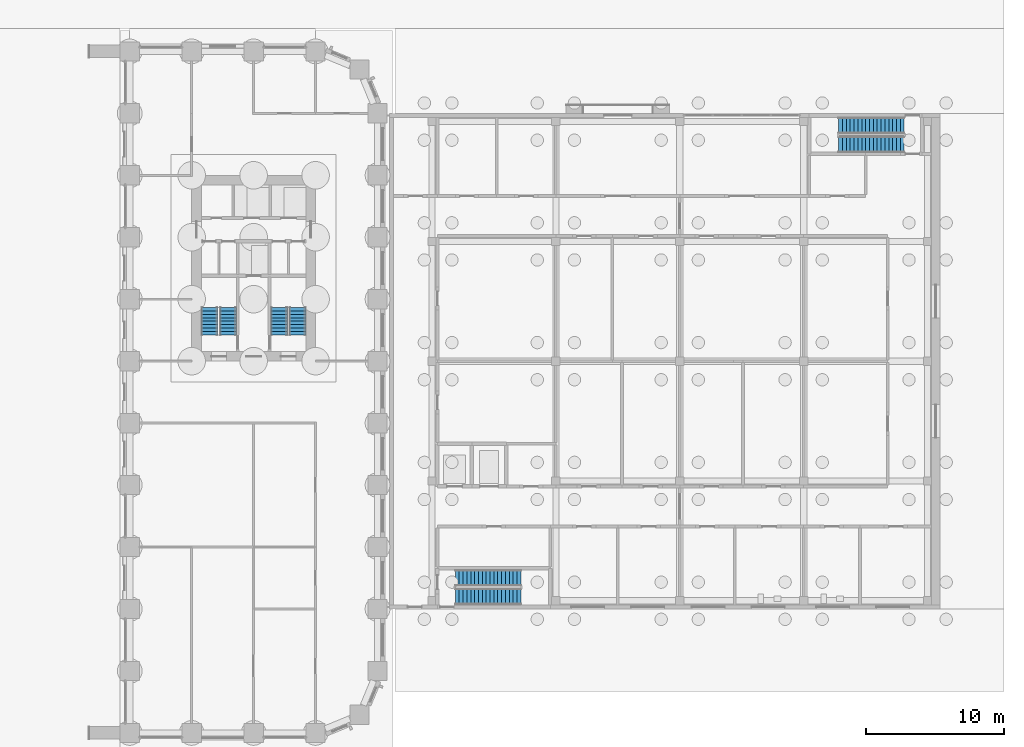
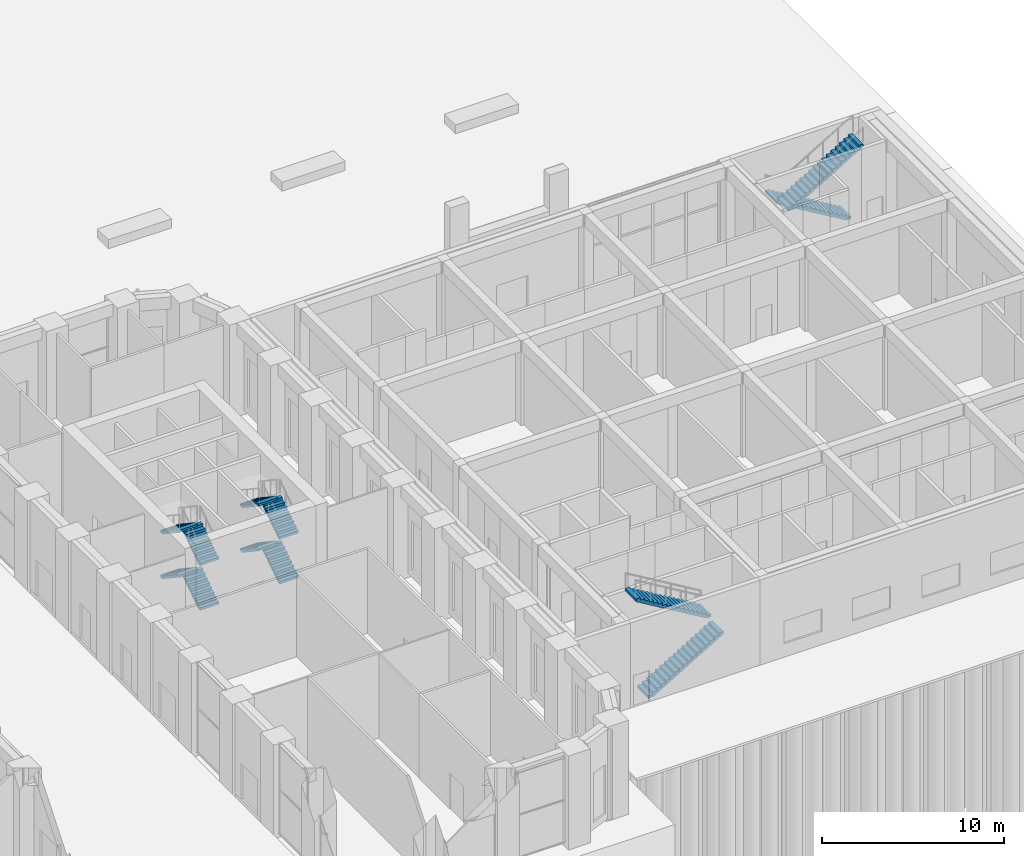
# One storey, part 23 of 31: 12 stair flights, 4 elements without a shape of their own.
"""IFC4 building model written with IfcOpenShell, lengths in metres."""

from ifc_helpers import new_model, si_unit, direction, frame, origin, place, context, subcontext, project, spatial, polyline, outline, extrude, material, type_object, element, aggregate, save


model = new_model("IFC4")

# Units and contexts
model_context = context("Model", 3, precision=1e-05, world=origin(), true_north=direction((0.0, 1.0)))
body_context = subcontext(model_context, "Body", "Model", "MODEL_VIEW")
ifc_project = project(units=[si_unit("LENGTHUNIT", "METRE"), si_unit("AREAUNIT", "SQUARE_METRE"), si_unit("VOLUMEUNIT", "CUBIC_METRE"), si_unit("PLANEANGLEUNIT", "RADIAN"), si_unit("MASSUNIT", "GRAM", prefix="KILO")], contexts=[model_context])

# Site, building, storey
site_placement = place(None, origin())
site = spatial("IfcSite", under=ifc_project, at=site_placement, CompositionType="ELEMENT")
building_placement = place(site_placement, origin())
building = spatial("IfcBuilding", under=site, at=building_placement, Name="Girih Gate Residences", CompositionType="ELEMENT")
storey_placement = place(building_placement, origin())
storey = spatial("IfcBuildingStorey", under=building, at=storey_placement, Name="L00", CompositionType="ELEMENT", Elevation=0.0)

# Stair, stair flights
ifc_material = material(Name="Concrete C40/50", Category="concrete")
stair_type_1 = type_object("IfcStairType", Name="HC Stair", PredefinedType="HALF_TURN_STAIR", material=ifc_material)
stair_1_placement = place(storey_placement, origin())
stair_1 = element("IfcStair", 1, at=stair_1_placement, inside=storey, type_object=stair_type_1, Name="L00 stair A", PredefinedType="HALF_TURN_STAIR")
stair_flight_type_1 = type_object("IfcStairFlightType", Name="HC Stair flight", PredefinedType="STRAIGHT", material=ifc_material)
stair_flight_1_placement = place(storey_placement, frame((55.14990234375, 9.89990234375, 0.0), z_axis=(0.0, 0.0, 1.0), x_axis=(1.0, 0.0, 0.0)))
stair_flight_1 = element("IfcStairFlight", 2, at=stair_flight_1_placement, type_object=stair_flight_type_1, Name="HC-STA flight 1", NumberOfRisers=18, NumberOfTreads=17, PredefinedType="STRAIGHT", RiserHeight=0.166666667, TreadLength=0.28, context=body_context, shape_type="SweptSolid", body=[
    extrude(outline(polyline([(0.0, 0.0), (0.0, 0.166748046875), (0.280029296875, 0.166748046875), (0.280029296875, 0.333251953125), (0.56005859375, 0.333251953125), (0.56005859375, 0.5), (0.840087890625, 0.5), (0.840087890625, 0.666748046875), (1.1201171875, 0.666748046875), (1.1201171875, 0.833251953125), (1.39990234375, 0.833251953125), (1.39990234375, 1.0), (1.679931640625, 1.0), (1.679931640625, 1.166748046875), (1.9599609375, 1.166748046875), (1.9599609375, 1.333251953125), (2.239990234375, 1.333251953125), (2.239990234375, 1.5), (2.52001953125, 1.5), (2.52001953125, 1.666748046875), (2.800048828125, 1.666748046875), (2.800048828125, 1.833251953125), (3.080078125, 1.833251953125), (3.080078125, 2.0), (3.360107421875, 2.0), (3.360107421875, 2.166748046875), (3.639892578125, 2.166748046875), (3.639892578125, 2.333251953125), (3.919921875, 2.333251953125), (3.919921875, 2.5), (4.199951171875, 2.5), (4.199951171875, 2.666748046875), (4.47998046875, 2.666748046875), (4.47998046875, 2.833251953125), (4.760009765625, 2.833251953125), (4.760009765625, 3.0), (4.760009765625, 2.658935546875), (0.29296875, 0.0), (0.0, 0.0)])), frame((0.0, 0.60009765625, 0.0), z_axis=(0.0, -1.0, 0.0), x_axis=(1.0, 0.0, 0.0)), (0.0, 0.0, 1.0), 1.199951171875),
])
stair_flight_2_placement = place(storey_placement, frame((59.909912109375, 11.25, 3.0), z_axis=(0.0, 0.0, 1.0), x_axis=(-1.0, 0.0, 0.0)))
stair_flight_2 = element("IfcStairFlight", 3, at=stair_flight_2_placement, type_object=stair_flight_type_1, Name="HC-STA flight 2", NumberOfRisers=18, NumberOfTreads=17, PredefinedType="STRAIGHT", RiserHeight=0.166666667, TreadLength=0.28, context=body_context, shape_type="SweptSolid", body=[
    extrude(outline(polyline([(0.0, 0.0), (0.0, 0.166748046875), (0.280029296875, 0.166748046875), (0.280029296875, 0.333251953125), (0.56005859375, 0.333251953125), (0.56005859375, 0.5), (0.840087890625, 0.5), (0.840087890625, 0.666748046875), (1.1201171875, 0.666748046875), (1.1201171875, 0.833251953125), (1.39990234375, 0.833251953125), (1.39990234375, 1.0), (1.679931640625, 1.0), (1.679931640625, 1.166748046875), (1.9599609375, 1.166748046875), (1.9599609375, 1.333251953125), (2.239990234375, 1.333251953125), (2.239990234375, 1.5), (2.52001953125, 1.5), (2.52001953125, 1.666748046875), (2.800048828125, 1.666748046875), (2.800048828125, 1.833251953125), (3.080078125, 1.833251953125), (3.080078125, 2.0), (3.360107421875, 2.0), (3.360107421875, 2.166748046875), (3.639892578125, 2.166748046875), (3.639892578125, 2.333251953125), (3.919921875, 2.333251953125), (3.919921875, 2.5), (4.199951171875, 2.5), (4.199951171875, 2.666748046875), (4.47998046875, 2.666748046875), (4.47998046875, 2.833251953125), (4.760009765625, 2.833251953125), (4.760009765625, 3.0), (4.760009765625, 2.658935546875), (0.29296875, 0.0), (0.0, 0.0)])), frame((0.0, 0.60009765625, 0.0), z_axis=(0.0, -1.0, 0.0), x_axis=(1.0, 0.0, 0.0)), (0.0, 0.0, 1.0), 1.199951171875),
])
aggregate(stair_1, [stair_flight_1, stair_flight_2])

stair_2_placement = place(storey_placement, origin())
stair_2 = element("IfcStair", 4, at=stair_2_placement, inside=storey, type_object=stair_type_1, Name="L00 stair B", PredefinedType="HALF_TURN_STAIR")
stair_flight_3_placement = place(storey_placement, frame((87.75, 44.10009765625, 0.0), z_axis=(0.0, 0.0, 1.0), x_axis=(-1.0, 0.0, 0.0)))
stair_flight_3 = element("IfcStairFlight", 5, at=stair_flight_3_placement, type_object=stair_flight_type_1, Name="HC-STB flight 1", NumberOfRisers=18, NumberOfTreads=17, PredefinedType="STRAIGHT", RiserHeight=0.166666667, TreadLength=0.28, context=body_context, shape_type="SweptSolid", body=[
    extrude(outline(polyline([(0.0, 0.0), (0.0, 0.166748046875), (0.280029296875, 0.166748046875), (0.280029296875, 0.333251953125), (0.56005859375, 0.333251953125), (0.56005859375, 0.5), (0.840087890625, 0.5), (0.840087890625, 0.666748046875), (1.1201171875, 0.666748046875), (1.1201171875, 0.833251953125), (1.39990234375, 0.833251953125), (1.39990234375, 1.0), (1.679931640625, 1.0), (1.679931640625, 1.166748046875), (1.9599609375, 1.166748046875), (1.9599609375, 1.333251953125), (2.239990234375, 1.333251953125), (2.239990234375, 1.5), (2.52001953125, 1.5), (2.52001953125, 1.666748046875), (2.800048828125, 1.666748046875), (2.800048828125, 1.833251953125), (3.080078125, 1.833251953125), (3.080078125, 2.0), (3.360107421875, 2.0), (3.360107421875, 2.166748046875), (3.639892578125, 2.166748046875), (3.639892578125, 2.333251953125), (3.919921875, 2.333251953125), (3.919921875, 2.5), (4.199951171875, 2.5), (4.199951171875, 2.666748046875), (4.47998046875, 2.666748046875), (4.47998046875, 2.833251953125), (4.760009765625, 2.833251953125), (4.760009765625, 3.0), (4.760009765625, 2.658935546875), (0.29296875, 0.0), (0.0, 0.0)])), frame((0.0, 0.60009765625, 0.0), z_axis=(0.0, -1.0, 0.0), x_axis=(1.0, 0.0, 0.0)), (0.0, 0.0, 1.0), 1.199951171875),
])
stair_flight_4_placement = place(storey_placement, frame((82.989990234375, 42.75, 3.0), z_axis=(0.0, 0.0, 1.0), x_axis=(1.0, 0.0, 0.0)))
stair_flight_4 = element("IfcStairFlight", 6, at=stair_flight_4_placement, type_object=stair_flight_type_1, Name="HC-STB flight 2", NumberOfRisers=18, NumberOfTreads=17, PredefinedType="STRAIGHT", RiserHeight=0.166666667, TreadLength=0.28, context=body_context, shape_type="SweptSolid", body=[
    extrude(outline(polyline([(0.0, 0.0), (0.0, 0.166748046875), (0.280029296875, 0.166748046875), (0.280029296875, 0.333251953125), (0.56005859375, 0.333251953125), (0.56005859375, 0.5), (0.840087890625, 0.5), (0.840087890625, 0.666748046875), (1.1201171875, 0.666748046875), (1.1201171875, 0.833251953125), (1.39990234375, 0.833251953125), (1.39990234375, 1.0), (1.679931640625, 1.0), (1.679931640625, 1.166748046875), (1.9599609375, 1.166748046875), (1.9599609375, 1.333251953125), (2.239990234375, 1.333251953125), (2.239990234375, 1.5), (2.52001953125, 1.5), (2.52001953125, 1.666748046875), (2.800048828125, 1.666748046875), (2.800048828125, 1.833251953125), (3.080078125, 1.833251953125), (3.080078125, 2.0), (3.360107421875, 2.0), (3.360107421875, 2.166748046875), (3.639892578125, 2.166748046875), (3.639892578125, 2.333251953125), (3.919921875, 2.333251953125), (3.919921875, 2.5), (4.199951171875, 2.5), (4.199951171875, 2.666748046875), (4.47998046875, 2.666748046875), (4.47998046875, 2.833251953125), (4.760009765625, 2.833251953125), (4.760009765625, 3.0), (4.760009765625, 2.658935546875), (0.29296875, 0.0), (0.0, 0.0)])), frame((0.0, 0.60009765625, 0.0), z_axis=(0.0, -1.0, 0.0), x_axis=(1.0, 0.0, 0.0)), (0.0, 0.0, 1.0), 1.199951171875),
])
aggregate(stair_2, [stair_flight_3, stair_flight_4])

stair_type_2 = type_object("IfcStairType", Name="Exit stair", PredefinedType="HALF_TURN_STAIR", material=ifc_material)
stair_3_placement = place(storey_placement, origin())
stair_3 = element("IfcStair", 7, at=stair_3_placement, inside=storey, type_object=stair_type_2, Name="L00 Exit Stair ST-E1", PredefinedType="HALF_TURN_STAIR")
stair_flight_type_2 = type_object("IfcStairFlightType", Name="Stair flight 1200", PredefinedType="STRAIGHT", material=ifc_material)
stair_flight_5_placement = place(storey_placement, frame((43.699951171875, 28.89990234375, 0.0), z_axis=(0.0, 0.0, 1.0), x_axis=(0.0, 1.0, 0.0)))
stair_flight_5 = element("IfcStairFlight", 8, at=stair_flight_5_placement, type_object=stair_flight_type_2, Name="ST-E1 flight 1", NumberOfRisers=9, NumberOfTreads=8, PredefinedType="STRAIGHT", RiserHeight=0.166666667, TreadLength=0.25, context=body_context, shape_type="SweptSolid", body=[
    extrude(outline(polyline([(0.0, 0.0), (0.0, 0.166748046875), (0.25, 0.166748046875), (0.25, 0.333251953125), (0.5, 0.333251953125), (0.5, 0.5), (0.75, 0.5), (0.75, 0.666748046875), (1.0, 0.666748046875), (1.0, 0.833251953125), (1.25, 0.833251953125), (1.25, 1.0), (1.5, 1.0), (1.5, 1.166748046875), (1.75, 1.166748046875), (1.75, 1.333251953125), (2.0, 1.333251953125), (2.0, 1.5), (2.0, 1.18896484375), (0.216552734375, 0.0), (0.0, 0.0)])), frame((0.0, 0.60009765625, 0.0), z_axis=(0.0, -1.0, 0.0), x_axis=(1.0, 0.0, 0.0)), (0.0, 0.0, 1.0), 1.199951171875),
])
stair_flight_6_placement = place(storey_placement, frame((42.35009765625, 30.89990234375, 1.5), z_axis=(0.0, 0.0, 1.0), x_axis=(0.0, -1.0, 0.0)))
stair_flight_6 = element("IfcStairFlight", 9, at=stair_flight_6_placement, type_object=stair_flight_type_2, Name="ST-E1 flight 2", NumberOfRisers=9, NumberOfTreads=8, PredefinedType="STRAIGHT", RiserHeight=0.166666667, TreadLength=0.25, context=body_context, shape_type="SweptSolid", body=[
    extrude(outline(polyline([(0.0, 0.0), (0.0, 0.166748046875), (0.25, 0.166748046875), (0.25, 0.333251953125), (0.5, 0.333251953125), (0.5, 0.5), (0.75, 0.5), (0.75, 0.666748046875), (1.0, 0.666748046875), (1.0, 0.833251953125), (1.25, 0.833251953125), (1.25, 1.0), (1.5, 1.0), (1.5, 1.166748046875), (1.75, 1.166748046875), (1.75, 1.333251953125), (2.0, 1.333251953125), (2.0, 1.5), (2.0, 1.18896484375), (0.216552734375, 0.0), (0.0, 0.0)])), frame((0.0, 0.60009765625, 0.0), z_axis=(0.0, -1.0, 0.0), x_axis=(1.0, 0.0, 0.0)), (0.0, 0.0, 1.0), 1.199951171875),
])
stair_flight_7_placement = place(storey_placement, frame((43.699951171875, 28.89990234375, 3.0), z_axis=(0.0, 0.0, 1.0), x_axis=(0.0, 1.0, 0.0)))
stair_flight_7 = element("IfcStairFlight", 10, at=stair_flight_7_placement, type_object=stair_flight_type_2, Name="ST-E1 flight 3", NumberOfRisers=9, NumberOfTreads=8, PredefinedType="STRAIGHT", RiserHeight=0.166666667, TreadLength=0.25, context=body_context, shape_type="SweptSolid", body=[
    extrude(outline(polyline([(0.0, 0.0), (0.0, 0.166748046875), (0.25, 0.166748046875), (0.25, 0.333251953125), (0.5, 0.333251953125), (0.5, 0.5), (0.75, 0.5), (0.75, 0.666748046875), (1.0, 0.666748046875), (1.0, 0.833251953125), (1.25, 0.833251953125), (1.25, 1.0), (1.5, 1.0), (1.5, 1.166748046875), (1.75, 1.166748046875), (1.75, 1.333251953125), (2.0, 1.333251953125), (2.0, 1.5), (2.0, 1.18896484375), (0.216552734375, 0.0), (0.0, 0.0)])), frame((0.0, 0.60009765625, 0.0), z_axis=(0.0, -1.0, 0.0), x_axis=(1.0, 0.0, 0.0)), (0.0, 0.0, 1.0), 1.199951171875),
])
stair_flight_8_placement = place(storey_placement, frame((42.35009765625, 30.89990234375, 4.5), z_axis=(0.0, 0.0, 1.0), x_axis=(0.0, -1.0, 0.0)))
stair_flight_8 = element("IfcStairFlight", 11, at=stair_flight_8_placement, type_object=stair_flight_type_2, Name="ST-E1 flight 4", NumberOfRisers=9, NumberOfTreads=8, PredefinedType="STRAIGHT", RiserHeight=0.166666667, TreadLength=0.25, context=body_context, shape_type="SweptSolid", body=[
    extrude(outline(polyline([(0.0, 0.0), (0.0, 0.166748046875), (0.25, 0.166748046875), (0.25, 0.333251953125), (0.5, 0.333251953125), (0.5, 0.5), (0.75, 0.5), (0.75, 0.666748046875), (1.0, 0.666748046875), (1.0, 0.833251953125), (1.25, 0.833251953125), (1.25, 1.0), (1.5, 1.0), (1.5, 1.166748046875), (1.75, 1.166748046875), (1.75, 1.333251953125), (2.0, 1.333251953125), (2.0, 1.5), (2.0, 1.18896484375), (0.216552734375, 0.0), (0.0, 0.0)])), frame((0.0, 0.60009765625, 0.0), z_axis=(0.0, -1.0, 0.0), x_axis=(1.0, 0.0, 0.0)), (0.0, 0.0, 1.0), 1.199951171875),
])
aggregate(stair_3, [stair_flight_5, stair_flight_6, stair_flight_7, stair_flight_8])

stair_4_placement = place(storey_placement, origin())
stair_4 = element("IfcStair", 12, at=stair_4_placement, inside=storey, type_object=stair_type_2, Name="L00 Exit Stair ST-E2", PredefinedType="HALF_TURN_STAIR")
stair_flight_9_placement = place(storey_placement, frame((38.64990234375, 28.89990234375, 0.0), z_axis=(0.0, 0.0, 1.0), x_axis=(0.0, 1.0, 0.0)))
stair_flight_9 = element("IfcStairFlight", 13, at=stair_flight_9_placement, type_object=stair_flight_type_2, Name="ST-E2 flight 1", NumberOfRisers=9, NumberOfTreads=8, PredefinedType="STRAIGHT", RiserHeight=0.166666667, TreadLength=0.25, context=body_context, shape_type="SweptSolid", body=[
    extrude(outline(polyline([(0.0, 0.0), (0.0, 0.166748046875), (0.25, 0.166748046875), (0.25, 0.333251953125), (0.5, 0.333251953125), (0.5, 0.5), (0.75, 0.5), (0.75, 0.666748046875), (1.0, 0.666748046875), (1.0, 0.833251953125), (1.25, 0.833251953125), (1.25, 1.0), (1.5, 1.0), (1.5, 1.166748046875), (1.75, 1.166748046875), (1.75, 1.333251953125), (2.0, 1.333251953125), (2.0, 1.5), (2.0, 1.18896484375), (0.216552734375, 0.0), (0.0, 0.0)])), frame((0.0, 0.60009765625, 0.0), z_axis=(0.0, -1.0, 0.0), x_axis=(1.0, 0.0, 0.0)), (0.0, 0.0, 1.0), 1.199951171875),
])
stair_flight_10_placement = place(storey_placement, frame((37.300048828125, 30.89990234375, 1.5), z_axis=(0.0, 0.0, 1.0), x_axis=(0.0, -1.0, 0.0)))
stair_flight_10 = element("IfcStairFlight", 14, at=stair_flight_10_placement, type_object=stair_flight_type_2, Name="ST-E2 flight 2", NumberOfRisers=9, NumberOfTreads=8, PredefinedType="STRAIGHT", RiserHeight=0.166666667, TreadLength=0.25, context=body_context, shape_type="SweptSolid", body=[
    extrude(outline(polyline([(0.0, 0.0), (0.0, 0.166748046875), (0.25, 0.166748046875), (0.25, 0.333251953125), (0.5, 0.333251953125), (0.5, 0.5), (0.75, 0.5), (0.75, 0.666748046875), (1.0, 0.666748046875), (1.0, 0.833251953125), (1.25, 0.833251953125), (1.25, 1.0), (1.5, 1.0), (1.5, 1.166748046875), (1.75, 1.166748046875), (1.75, 1.333251953125), (2.0, 1.333251953125), (2.0, 1.5), (2.0, 1.18896484375), (0.216552734375, 0.0), (0.0, 0.0)])), frame((0.0, 0.60009765625, 0.0), z_axis=(0.0, -1.0, 0.0), x_axis=(1.0, 0.0, 0.0)), (0.0, 0.0, 1.0), 1.199951171875),
])
stair_flight_11_placement = place(storey_placement, frame((38.64990234375, 28.89990234375, 3.0), z_axis=(0.0, 0.0, 1.0), x_axis=(0.0, 1.0, 0.0)))
stair_flight_11 = element("IfcStairFlight", 15, at=stair_flight_11_placement, type_object=stair_flight_type_2, Name="ST-E2 flight 3", NumberOfRisers=9, NumberOfTreads=8, PredefinedType="STRAIGHT", RiserHeight=0.166666667, TreadLength=0.25, context=body_context, shape_type="SweptSolid", body=[
    extrude(outline(polyline([(0.0, 0.0), (0.0, 0.166748046875), (0.25, 0.166748046875), (0.25, 0.333251953125), (0.5, 0.333251953125), (0.5, 0.5), (0.75, 0.5), (0.75, 0.666748046875), (1.0, 0.666748046875), (1.0, 0.833251953125), (1.25, 0.833251953125), (1.25, 1.0), (1.5, 1.0), (1.5, 1.166748046875), (1.75, 1.166748046875), (1.75, 1.333251953125), (2.0, 1.333251953125), (2.0, 1.5), (2.0, 1.18896484375), (0.216552734375, 0.0), (0.0, 0.0)])), frame((0.0, 0.60009765625, 0.0), z_axis=(0.0, -1.0, 0.0), x_axis=(1.0, 0.0, 0.0)), (0.0, 0.0, 1.0), 1.199951171875),
])
stair_flight_12_placement = place(storey_placement, frame((37.300048828125, 30.89990234375, 4.5), z_axis=(0.0, 0.0, 1.0), x_axis=(0.0, -1.0, 0.0)))
stair_flight_12 = element("IfcStairFlight", 16, at=stair_flight_12_placement, type_object=stair_flight_type_2, Name="ST-E2 flight 4", NumberOfRisers=9, NumberOfTreads=8, PredefinedType="STRAIGHT", RiserHeight=0.166666667, TreadLength=0.25, context=body_context, shape_type="SweptSolid", body=[
    extrude(outline(polyline([(0.0, 0.0), (0.0, 0.166748046875), (0.25, 0.166748046875), (0.25, 0.333251953125), (0.5, 0.333251953125), (0.5, 0.5), (0.75, 0.5), (0.75, 0.666748046875), (1.0, 0.666748046875), (1.0, 0.833251953125), (1.25, 0.833251953125), (1.25, 1.0), (1.5, 1.0), (1.5, 1.166748046875), (1.75, 1.166748046875), (1.75, 1.333251953125), (2.0, 1.333251953125), (2.0, 1.5), (2.0, 1.18896484375), (0.216552734375, 0.0), (0.0, 0.0)])), frame((0.0, 0.60009765625, 0.0), z_axis=(0.0, -1.0, 0.0), x_axis=(1.0, 0.0, 0.0)), (0.0, 0.0, 1.0), 1.199951171875),
])
aggregate(stair_4, [stair_flight_9, stair_flight_10, stair_flight_11, stair_flight_12])

save(model, "model.ifc")
